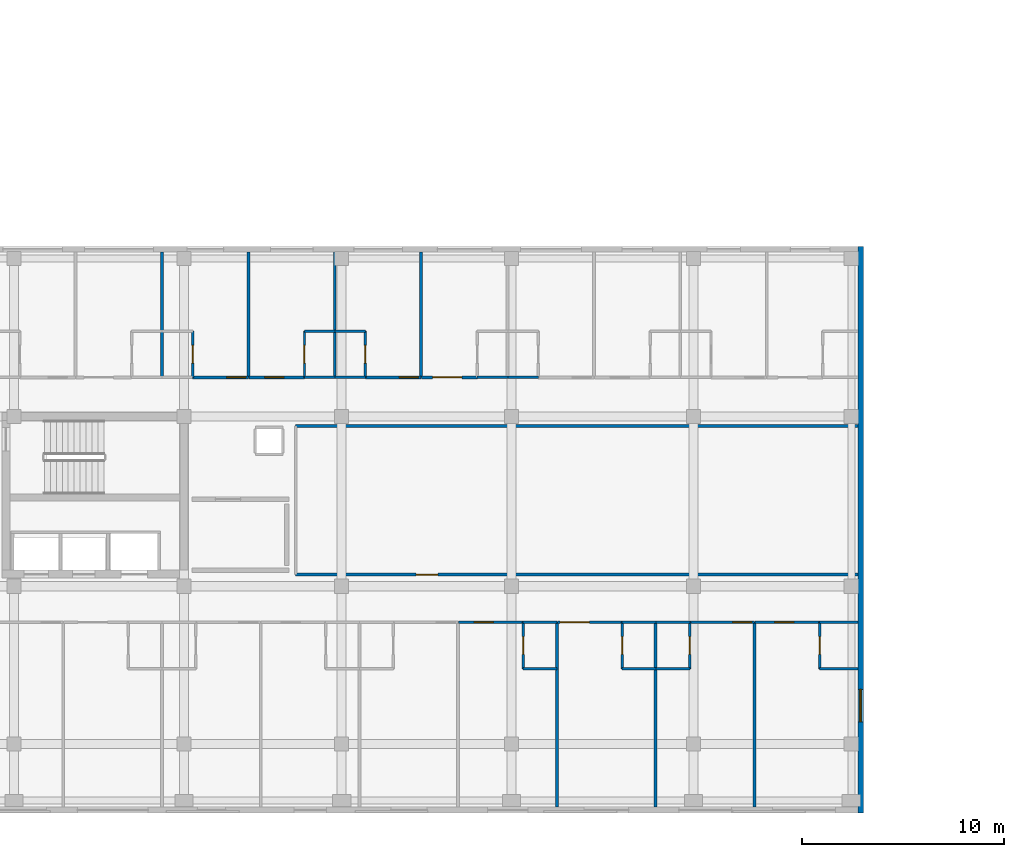
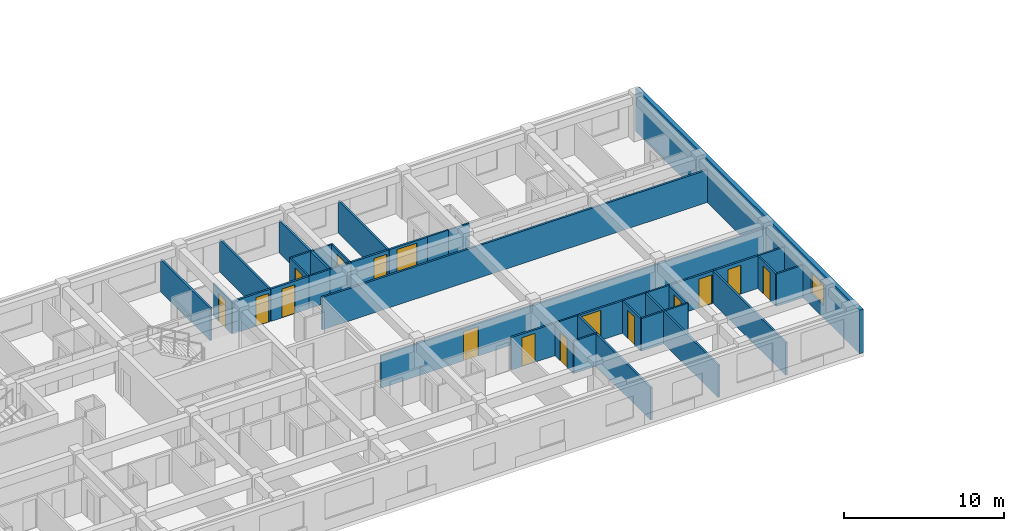
# One storey, part 138 of 144: 39 walls, 16 doors, 1 window, 17 openings.
"""IFC4 building model written with IfcOpenShell, lengths in metres."""

import ifcopenshell
import ifcopenshell.guid

model = None  # the IFC model being written
_history = None  # IfcOwnerHistory: only IFC2X3 demands one
_inside = {}  # id of a spatial element -> (the spatial element, [elements in it])
_under = {}  # id of a project, library or spatial element -> (it, [spatial elements below it])
_declared = {}  # id of a project -> (the project, [libraries it declares])
_typed = {}  # id of a type object -> (the type object, [elements of that type])
_made_of = {}  # id of a material, layer set ... -> (it, [elements and type objects made of it])


def new_model(schema):
    """Start an empty IFC model of exactly this schema.

    Asked for "IFC4X3", IfcOpenShell would pick the latest addendum, in which some entities
    have other attributes; the version numbers below select the first issue.
    IFC2X3 requires an IfcOwnerHistory on every rooted entity: one is made here for all.
    """
    global model, _history
    if schema == "IFC4X3":
        model = ifcopenshell.file(schema_version=(4, 3, 0, 0))
    else:
        model = ifcopenshell.file(schema=schema)
    _inside.clear()
    _under.clear()
    _declared.clear()
    _typed.clear()
    _made_of.clear()
    _history = None
    if model.schema == "IFC2X3":
        org = make("IfcOrganization", Name="unknown")
        user = make(
            "IfcPersonAndOrganization",
            ThePerson=make("IfcPerson", FamilyName="unknown"),
            TheOrganization=org,
        )
        app = make(
            "IfcApplication",
            ApplicationDeveloper=org,
            Version="unknown",
            ApplicationFullName="unknown",
            ApplicationIdentifier="unknown",
        )
        _history = make(
            "IfcOwnerHistory",
            OwningUser=user,
            OwningApplication=app,
            ChangeAction="ADDED",
            CreationDate=0,
        )
    return model


def make(cls, **values):
    """One entity of the class cls with the attributes given. An attribute that is None is left unset."""
    return model.create_entity(
        cls, **{name: value for name, value in values.items() if value is not None}
    )


def rooted(cls, **values):
    """An entity with a GlobalId (a new one), such as an element, a storey or a relation."""
    return make(cls, GlobalId=ifcopenshell.guid.new(), OwnerHistory=_history, **values)


def si_unit(unit_type, name, prefix=None):
    """IfcSIUnit, for example si_unit("LENGTHUNIT", "METRE", prefix="MILLI")."""
    return make("IfcSIUnit", UnitType=unit_type, Prefix=prefix, Name=name)


def assignment(units):
    """IfcUnitAssignment: the units of a project."""
    return None if units is None else make("IfcUnitAssignment", Units=units)


def point(xyz):
    """IfcCartesianPoint."""
    return None if xyz is None else make("IfcCartesianPoint", Coordinates=xyz)


def direction(xyz):
    """IfcDirection."""
    return None if xyz is None else make("IfcDirection", DirectionRatios=xyz)


def frame(location, z_axis=None, x_axis=None):
    """IfcAxis2Placement3D, a coordinate frame: its origin and axes. An axis left out is left unset."""
    return make(
        "IfcAxis2Placement3D",
        Location=point(location),
        Axis=direction(z_axis),
        RefDirection=direction(x_axis),
    )


def frame_2d(location, x_axis=None):
    """IfcAxis2Placement2D, a coordinate frame in the plane: its origin and x axis."""
    return make(
        "IfcAxis2Placement2D", Location=point(location), RefDirection=direction(x_axis)
    )


def origin():
    """The frame at (0, 0, 0) with its axes left unset."""
    return frame((0.0, 0.0, 0.0))


def place(relative_to, where):
    """IfcLocalPlacement: puts the frame where relative to a parent placement (None: the world)."""
    return make(
        "IfcLocalPlacement", PlacementRelTo=relative_to, RelativePlacement=where
    )


def context(
    kind, dimensions, precision=None, world=None, true_north=None, identifier=None
):
    """IfcGeometricRepresentationContext, for example the 3D "Model" context."""
    return make(
        "IfcGeometricRepresentationContext",
        ContextIdentifier=identifier,
        ContextType=kind,
        CoordinateSpaceDimension=dimensions,
        Precision=precision,
        WorldCoordinateSystem=world,
        TrueNorth=true_north,
    )


def subcontext(parent, identifier, kind, view, scale=None):
    """IfcGeometricRepresentationSubContext, for example "Body" below "Model"."""
    return make(
        "IfcGeometricRepresentationSubContext",
        ContextIdentifier=identifier,
        ContextType=kind,
        ParentContext=parent,
        TargetScale=scale,
        TargetView=view,
    )


def project(units=None, contexts=None):
    """IfcProject with its units and contexts."""
    return rooted(
        "IfcProject",
        Name="project",
        RepresentationContexts=contexts,
        UnitsInContext=assignment(units),
    )


def spatial(cls, under=None, at=None, **own):
    """A site, building, storey or space (cls), placed at a placement, below another one or the project."""
    s = rooted(cls, ObjectPlacement=at, **own)
    if under is not None:
        _under.setdefault(under.id(), (under, []))[1].append(s)
    return s


def profile(cls, at=None, kind="AREA", **sizes):
    """A parametric profile (cls). Its sizes go by their IFC names, for example OverallWidth=200.0."""
    return make(cls, ProfileType=kind, Position=at, **sizes)


def rectangle(**sizes):
    """IfcRectangleProfileDef."""
    return profile("IfcRectangleProfileDef", **sizes)


def extrude(swept, where, along, depth):
    """IfcExtrudedAreaSolid: the profile swept, set in the frame where, extruded along a direction by depth."""
    return make(
        "IfcExtrudedAreaSolid",
        SweptArea=swept,
        Position=where,
        ExtrudedDirection=direction(along),
        Depth=depth,
    )


def shape(context_of_items, identifier, shape_type, items):
    """IfcShapeRepresentation: the items that make up one representation, for example the "Body"."""
    return make(
        "IfcShapeRepresentation",
        ContextOfItems=context_of_items,
        RepresentationIdentifier=identifier,
        RepresentationType=shape_type,
        Items=items,
    )


def material(Name=None, Category=None):
    """IfcMaterial."""
    return make("IfcMaterial", Name=Name, Category=Category)


def layer(
    of_material, thickness, ventilated=None, Name=None, Category=None, Priority=None
):
    """IfcMaterialLayer: one layer of a wall or slab, of a material (None: an air gap)."""
    return make(
        "IfcMaterialLayer",
        Material=of_material,
        LayerThickness=thickness,
        IsVentilated=ventilated,
        Name=Name,
        Category=Category,
        Priority=Priority,
    )


def layer_set(layers, Name=None):
    """IfcMaterialLayerSet."""
    return make("IfcMaterialLayerSet", MaterialLayers=layers, LayerSetName=Name)


def made_of(thing, what):
    """Note that an element or type object is made of a material, layer set ...; save() writes the relation."""
    if what is not None:
        _made_of.setdefault(what.id(), (what, []))[1].append(thing)
    return thing


def type_object(cls, material=None, **own):
    """A type object (cls), such as IfcWallType, which elements share."""
    return made_of(rooted(cls, **own), material)


def element(
    cls,
    number,
    at=None,
    inside=None,
    cuts=None,
    type_object=None,
    material=None,
    context=None,
    identifier="Body",
    shape_type=None,
    held_by="IfcProductDefinitionShape",
    body=None,
    shapes=None,
    **own,
):
    """One element of the class cls, such as IfcWall. Its Tag is "e" and its number.

    at: its placement. inside: the storey or other place that contains it. cuts: it is an
    opening in that element (IfcRelVoidsElement). A single representation is given by context,
    identifier, shape_type and body (its items); several are given by shapes. held_by: the class
    of the entity that holds the representations. save() writes the other relations.
    """
    e = rooted(cls, Tag="e%d" % number, ObjectPlacement=at, **own)
    if body is not None:
        shapes = [shape(context, identifier, shape_type, body)]
    if shapes is not None:
        e.Representation = make(held_by, Representations=shapes)
    if inside is not None:
        _inside.setdefault(inside.id(), (inside, []))[1].append(e)
    if cuts is not None:
        rooted(
            "IfcRelVoidsElement", RelatingBuildingElement=cuts, RelatedOpeningElement=e
        )
    if type_object is not None:
        _typed.setdefault(type_object.id(), (type_object, []))[1].append(e)
    return made_of(e, material)


def fill(opening, filler):
    """IfcRelFillsElement: the door or window that sits in an opening."""
    return rooted(
        "IfcRelFillsElement",
        RelatingOpeningElement=opening,
        RelatedBuildingElement=filler,
    )


def aggregate(whole, parts):
    """IfcRelAggregates: a whole, such as a stair, and the parts it consists of."""
    return rooted("IfcRelAggregates", RelatingObject=whole, RelatedObjects=parts)


def save(model, path):
    """Write the relations noted so far, then the file.

    IfcRelAggregates (storeys below a building ...), IfcRelContainedInSpatialStructure (elements
    in a storey), IfcRelDefinesByType, IfcRelAssociatesMaterial and IfcRelDeclares: one each for
    every whole, place, type object, material and project.
    """
    for whole, parts in _under.values():
        aggregate(whole, parts)
    for where, things in _inside.values():
        rooted(
            "IfcRelContainedInSpatialStructure",
            RelatedElements=things,
            RelatingStructure=where,
        )
    for kind, things in _typed.values():
        rooted("IfcRelDefinesByType", RelatedObjects=things, RelatingType=kind)
    for what, things in _made_of.values():
        rooted("IfcRelAssociatesMaterial", RelatedObjects=things, RelatingMaterial=what)
    for by, libraries in _declared.values():
        rooted("IfcRelDeclares", RelatingContext=by, RelatedDefinitions=libraries)
    model.write(path)


model = new_model("IFC4")

# Units and contexts
model_context = context("Model", 3, precision=1e-05, world=origin(), true_north=direction((0.0, 1.0)))
body_context = subcontext(model_context, "Body", "Model", "MODEL_VIEW")
ifc_project = project(units=[si_unit("LENGTHUNIT", "METRE"), si_unit("AREAUNIT", "SQUARE_METRE"), si_unit("VOLUMEUNIT", "CUBIC_METRE"), si_unit("PLANEANGLEUNIT", "RADIAN"), si_unit("MASSUNIT", "GRAM", prefix="KILO")], contexts=[model_context])

# Site, building, storey
site_placement = place(None, origin())
site = spatial("IfcSite", under=ifc_project, at=site_placement, CompositionType="ELEMENT")
building_placement = place(site_placement, origin())
building = spatial("IfcBuilding", under=site, at=building_placement, Name="Zayran Congress Hotel", CompositionType="ELEMENT")
storey_placement = place(building_placement, frame((0.0, 0.0, 19.199951171875)))
storey = spatial("IfcBuildingStorey", under=building, at=storey_placement, Name="L04", CompositionType="ELEMENT", Elevation=19.199951171875)

# Wall, opening, window
ifc_material_1 = material(Name="Hajar Ma'ani limestone cavity wall and concrete C32/40", Category="masonry")
ifc_layer_1 = layer(ifc_material_1, 0.280029296875)
ifc_layer_set_1 = layer_set([ifc_layer_1], Name="Hajar Ma'ani limestone cavity wall and concrete C32/40")
wall_type_1 = type_object("IfcWallType", Name="WL-EX-280", PredefinedType="SOLIDWALL", material=ifc_layer_set_1)
wall_1_placement = place(storey_placement, frame((92.260009765625, 34.0, 0.0), z_axis=(0.0, 0.0, 1.0), x_axis=(0.0, -1.0, 0.0)))
wall_1 = element("IfcWall", 1, at=wall_1_placement, inside=storey, type_object=wall_type_1, Name="EW-V5-E-L04", PredefinedType="SOLIDWALL", context=body_context, shape_type="SweptSolid", body=[
    extrude(rectangle(XDim=28.0, YDim=0.280029296875, at=frame_2d((14.0, 0.0))), origin(), (0.0, 0.0, 1.0), 3.320068359375),
])
opening_1_placement = place(wall_1_placement, frame((21.89990234375, 0.0, 0.949951171875)))
opening_1 = element("IfcOpeningElement", 2, at=opening_1_placement, cuts=wall_1, Name="Opening WN-15", PredefinedType="OPENING", context=body_context, shape_type="SweptSolid", body=[
    extrude(rectangle(XDim=1.60009765625, YDim=1.60009765625, at=frame_2d((0.800048828125, 0.800048828125))), frame((0.0, 0.14990234375, 0.0), z_axis=(0.0, -1.0, 0.0), x_axis=(1.0, 0.0, 0.0)), (0.0, 0.0, 1.0), 0.300048828125),
])
ifc_material_2 = material(Name="Anodised aluminium and low-E insulated glass", Category="aluminium")
window_type = type_object("IfcWindowType", Name="TP-WN-15", PartitioningType="SINGLE_PANEL", PredefinedType="WINDOW", material=ifc_material_2)
window_placement = place(opening_1_placement, origin())
window = element("IfcWindow", 3, at=window_placement, inside=storey, type_object=window_type, Name="WIN-V5E-L04", OverallHeight=1.60009765625, OverallWidth=1.60009765625, PartitioningType="SINGLE_PANEL", PredefinedType="WINDOW", context=body_context, shape_type="SweptSolid", body=[
    extrude(rectangle(XDim=1.60009765625, YDim=1.60009765625, at=frame_2d((0.800048828125, 0.800048828125))), frame((0.0, 0.030029296875, 0.0), z_axis=(0.0, -1.0, 0.0), x_axis=(1.0, 0.0, 0.0)), (0.0, 0.0, 1.0), 0.06005859375),
])
fill(opening_1, window)

# Wall, opening, door
ifc_material_3 = material(Name="Hospitality guestroom acoustic partition", Category="gypsum")
ifc_layer_2 = layer(ifc_material_3, 0.139892578125)
ifc_layer_set_2 = layer_set([ifc_layer_2], Name="Hospitality guestroom acoustic partition")
wall_type_2 = type_object("IfcWallType", Name="WL-PT-140", PredefinedType="PARTITIONING", material=ifc_layer_set_2)
wall_2_placement = place(storey_placement, frame((64.320068359375, 17.780029296875, 0.0), z_axis=(0.0, 0.0, 1.0), x_axis=(1.0, 0.0, 0.0)))
wall_2 = element("IfcWall", 4, at=wall_2_placement, inside=storey, type_object=wall_type_2, Name="IW-L04-0617", PredefinedType="PARTITIONING", context=body_context, shape_type="SweptSolid", body=[
    extrude(rectangle(XDim=27.800048828125, YDim=0.139892578125, at=frame_2d((13.89990234375, 0.0))), origin(), (0.0, 0.0, 1.0), 2.47998046875),
])
opening_2_placement = place(wall_2_placement, frame((5.9580078125, 0.0, 0.0)))
opening_2 = element("IfcOpeningElement", 5, at=opening_2_placement, cuts=wall_2, Name="Opening DR-MT-01", PredefinedType="OPENING", context=body_context, shape_type="SweptSolid", body=[
    extrude(rectangle(XDim=1.080078125, YDim=2.25, at=frame_2d((0.5400390625, 1.125))), frame((0.0, 0.079833984375, 0.0), z_axis=(0.0, -1.0, 0.0), x_axis=(1.0, 0.0, 0.0)), (0.0, 0.0, 1.0), 0.159912109375),
])
ifc_material_4 = material(Name="Acoustic timber seminar room door", Category="wood")
door_type_1 = type_object("IfcDoorType", Name="TP-DR-MT-01", OperationType="NOTDEFINED", PredefinedType="DOOR", material=ifc_material_4)
door_1_placement = place(opening_2_placement, origin())
door_1 = element("IfcDoor", 6, at=door_1_placement, inside=storey, type_object=door_type_1, Name="Delegate Study Salon East L04 Door", OperationType="SINGLE_SWING_RIGHT", OverallHeight=2.25, OverallWidth=1.080078125, PredefinedType="DOOR", context=body_context, shape_type="SweptSolid", body=[
    extrude(rectangle(XDim=1.080078125, YDim=2.25, at=frame_2d((0.5400390625, 1.125))), frame((0.0, 0.02490234375, 0.0), z_axis=(0.0, -1.0, 0.0), x_axis=(1.0, 0.0, 0.0)), (0.0, 0.0, 1.0), 0.050048828125),
])
fill(opening_2, door_1)

wall_3_placement = place(storey_placement, frame((72.381103515625, 15.419921875, 0.0), z_axis=(0.0, 0.0, 1.0), x_axis=(1.0, 0.0, 0.0)))
wall_3 = element("IfcWall", 7, at=wall_3_placement, inside=storey, type_object=wall_type_2, Name="IW-L04-0631", PredefinedType="PARTITIONING", context=body_context, shape_type="SweptSolid", body=[
    extrude(rectangle(XDim=3.201904296875, YDim=0.139892578125, at=frame_2d((1.60107421875, 0.0))), origin(), (0.0, 0.0, 1.0), 2.47998046875),
])
opening_3_placement = place(wall_3_placement, frame((0.777099609375, 0.0, 0.0)))
opening_3 = element("IfcOpeningElement", 8, at=opening_3_placement, cuts=wall_3, Name="Opening DR-GR-01", PredefinedType="OPENING", context=body_context, shape_type="SweptSolid", body=[
    extrude(rectangle(XDim=0.93994140625, YDim=2.199951171875, at=frame_2d((0.469970703125, 1.10009765625))), frame((0.0, 0.079833984375, 0.0), z_axis=(0.0, -1.0, 0.0), x_axis=(1.0, 0.0, 0.0)), (0.0, 0.0, 1.0), 0.159912109375),
])
ifc_material_5 = material(Name="Acoustic walnut veneer fire-rated entry door", Category="wood")
door_type_2 = type_object("IfcDoorType", Name="TP-DR-GR-01", OperationType="NOTDEFINED", PredefinedType="DOOR", material=ifc_material_5)
door_2_placement = place(opening_3_placement, origin())
door_2 = element("IfcDoor", 9, at=door_2_placement, inside=storey, type_object=door_type_2, Name="Guest Room L04-14 Door", OperationType="SINGLE_SWING_RIGHT", OverallHeight=2.199951171875, OverallWidth=0.93994140625, PredefinedType="DOOR", context=body_context, shape_type="SweptSolid", body=[
    extrude(rectangle(XDim=0.93994140625, YDim=2.199951171875, at=frame_2d((0.469970703125, 1.10009765625))), frame((0.0, 0.02490234375, 0.0), z_axis=(0.0, -1.0, 0.0), x_axis=(1.0, 0.0, 0.0)), (0.0, 0.0, 1.0), 0.050048828125),
])
fill(opening_3, door_2)

wall_4_placement = place(storey_placement, frame((77.262939453125, 15.419921875, 0.0), z_axis=(0.0, 0.0, 1.0), x_axis=(1.0, 0.0, 0.0)))
wall_4 = element("IfcWall", 10, at=wall_4_placement, inside=storey, type_object=wall_type_2, Name="IW-L04-0632", PredefinedType="PARTITIONING", context=body_context, shape_type="SweptSolid", body=[
    extrude(rectangle(XDim=3.2021484375, YDim=0.139892578125, at=frame_2d((1.60107421875, 0.0))), origin(), (0.0, 0.0, 1.0), 2.47998046875),
])
opening_4_placement = place(wall_4_placement, frame((0.139892578125, 0.0, 0.0)))
opening_4 = element("IfcOpeningElement", 11, at=opening_4_placement, cuts=wall_4, Name="Opening DR-ST-01", PredefinedType="OPENING", context=body_context, shape_type="SweptSolid", body=[
    extrude(rectangle(XDim=1.449951171875, YDim=2.300048828125, at=frame_2d((0.72509765625, 1.14990234375))), frame((0.0, 0.079833984375, 0.0), z_axis=(0.0, -1.0, 0.0), x_axis=(1.0, 0.0, 0.0)), (0.0, 0.0, 1.0), 0.159912109375),
])
ifc_material_6 = material(Name="Double walnut veneer suite entry door", Category="wood")
door_type_3 = type_object("IfcDoorType", Name="TP-DR-ST-01", OperationType="DOUBLE_DOOR_SINGLE_SWING", PredefinedType="DOOR", material=ifc_material_6)
door_3_placement = place(opening_4_placement, origin())
door_3 = element("IfcDoor", 12, at=door_3_placement, inside=storey, type_object=door_type_3, Name="Junior Suite L04-15 Door", OperationType="DOUBLE_DOOR_SINGLE_SWING", OverallHeight=2.300048828125, OverallWidth=1.449951171875, PredefinedType="DOOR", context=body_context, shape_type="SweptSolid", body=[
    extrude(rectangle(XDim=1.449951171875, YDim=2.300048828125, at=frame_2d((0.72509765625, 1.14990234375))), frame((0.0, 0.02490234375, 0.0), z_axis=(0.0, -1.0, 0.0), x_axis=(1.0, 0.0, 0.0)), (0.0, 0.0, 1.0), 0.050048828125),
])
fill(opening_4, door_3)

wall_5_placement = place(storey_placement, frame((83.804931640625, 15.419921875, 0.0), z_axis=(0.0, 0.0, 1.0), x_axis=(1.0, 0.0, 0.0)))
wall_5 = element("IfcWall", 13, at=wall_5_placement, inside=storey, type_object=wall_type_2, Name="IW-L04-0633", PredefinedType="PARTITIONING", context=body_context, shape_type="SweptSolid", body=[
    extrude(rectangle(XDim=3.203125, YDim=0.139892578125, at=frame_2d((1.6015625, 0.0))), origin(), (0.0, 0.0, 1.0), 2.47998046875),
])
opening_5_placement = place(wall_5_placement, frame((2.123046875, 0.0, 0.0)))
opening_5 = element("IfcOpeningElement", 14, at=opening_5_placement, cuts=wall_5, Name="Opening DR-GR-01", PredefinedType="OPENING", context=body_context, shape_type="SweptSolid", body=[
    extrude(rectangle(XDim=0.93994140625, YDim=2.199951171875, at=frame_2d((0.469970703125, 1.10009765625))), frame((0.0, 0.079833984375, 0.0), z_axis=(0.0, -1.0, 0.0), x_axis=(1.0, 0.0, 0.0)), (0.0, 0.0, 1.0), 0.159912109375),
])
door_4_placement = place(opening_5_placement, origin())
door_4 = element("IfcDoor", 15, at=door_4_placement, inside=storey, type_object=door_type_2, Name="Guest Room L04-16 Door", OperationType="SINGLE_SWING_LEFT", OverallHeight=2.199951171875, OverallWidth=0.93994140625, PredefinedType="DOOR", context=body_context, shape_type="SweptSolid", body=[
    extrude(rectangle(XDim=0.93994140625, YDim=2.199951171875, at=frame_2d((0.469970703125, 1.10009765625))), frame((0.0, 0.02490234375, 0.0), z_axis=(0.0, -1.0, 0.0), x_axis=(1.0, 0.0, 0.0)), (0.0, 0.0, 1.0), 0.050048828125),
])
fill(opening_5, door_4)

wall_6_placement = place(storey_placement, frame((87.028076171875, 15.419921875, 0.0), z_axis=(0.0, 0.0, 1.0), x_axis=(1.0, 0.0, 0.0)))
wall_6 = element("IfcWall", 16, at=wall_6_placement, inside=storey, type_object=wall_type_2, Name="IW-L04-0634", PredefinedType="PARTITIONING", context=body_context, shape_type="SweptSolid", body=[
    extrude(rectangle(XDim=3.201904296875, YDim=0.139892578125, at=frame_2d((1.60107421875, 0.0))), origin(), (0.0, 0.0, 1.0), 2.47998046875),
])
opening_6_placement = place(wall_6_placement, frame((0.989013671875, 0.0, 0.0)))
opening_6 = element("IfcOpeningElement", 17, at=opening_6_placement, cuts=wall_6, Name="Opening DR-GR-01", PredefinedType="OPENING", context=body_context, shape_type="SweptSolid", body=[
    extrude(rectangle(XDim=0.93994140625, YDim=2.199951171875, at=frame_2d((0.469970703125, 1.10009765625))), frame((0.0, 0.079833984375, 0.0), z_axis=(0.0, -1.0, 0.0), x_axis=(1.0, 0.0, 0.0)), (0.0, 0.0, 1.0), 0.159912109375),
])
door_5_placement = place(opening_6_placement, origin())
door_5 = element("IfcDoor", 18, at=door_5_placement, inside=storey, type_object=door_type_2, Name="Guest Room L04-17 Door", OperationType="SINGLE_SWING_RIGHT", OverallHeight=2.199951171875, OverallWidth=0.93994140625, PredefinedType="DOOR", context=body_context, shape_type="SweptSolid", body=[
    extrude(rectangle(XDim=0.93994140625, YDim=2.199951171875, at=frame_2d((0.469970703125, 1.10009765625))), frame((0.0, 0.02490234375, 0.0), z_axis=(0.0, -1.0, 0.0), x_axis=(1.0, 0.0, 0.0)), (0.0, 0.0, 1.0), 0.050048828125),
])
fill(opening_6, door_5)

wall_7_placement = place(storey_placement, frame((59.23291015625, 27.530029296875, 0.0), z_axis=(0.0, 0.0, 1.0), x_axis=(1.0, 0.0, 0.0)))
wall_7 = element("IfcWall", 19, at=wall_7_placement, inside=storey, type_object=wall_type_2, Name="IW-L04-0646", PredefinedType="PARTITIONING", context=body_context, shape_type="SweptSolid", body=[
    extrude(rectangle(XDim=2.755126953125, YDim=0.139892578125, at=frame_2d((1.37744140625, 0.0))), origin(), (0.0, 0.0, 1.0), 2.47998046875),
])
opening_7_placement = place(wall_7_placement, frame((1.675048828125, 0.0, 0.0)))
opening_7 = element("IfcOpeningElement", 20, at=opening_7_placement, cuts=wall_7, Name="Opening DR-GR-01", PredefinedType="OPENING", context=body_context, shape_type="SweptSolid", body=[
    extrude(rectangle(XDim=0.93994140625, YDim=2.199951171875, at=frame_2d((0.469970703125, 1.10009765625))), frame((0.0, 0.079833984375, 0.0), z_axis=(0.0, -1.0, 0.0), x_axis=(1.0, 0.0, 0.0)), (0.0, 0.0, 1.0), 0.159912109375),
])
door_6_placement = place(opening_7_placement, origin())
door_6 = element("IfcDoor", 21, at=door_6_placement, inside=storey, type_object=door_type_2, Name="Guest Room L04-27 Door", OperationType="SINGLE_SWING_LEFT", OverallHeight=2.199951171875, OverallWidth=0.93994140625, PredefinedType="DOOR", context=body_context, shape_type="SweptSolid", body=[
    extrude(rectangle(XDim=0.93994140625, YDim=2.199951171875, at=frame_2d((0.469970703125, 1.10009765625))), frame((0.0, 0.02490234375, 0.0), z_axis=(0.0, -1.0, 0.0), x_axis=(1.0, 0.0, 0.0)), (0.0, 0.0, 1.0), 0.050048828125),
])
fill(opening_7, door_6)

wall_8_placement = place(storey_placement, frame((62.008056640625, 27.530029296875, 0.0), z_axis=(0.0, 0.0, 1.0), x_axis=(1.0, 0.0, 0.0)))
wall_8 = element("IfcWall", 22, at=wall_8_placement, inside=storey, type_object=wall_type_2, Name="IW-L04-0647", PredefinedType="PARTITIONING", context=body_context, shape_type="SweptSolid", body=[
    extrude(rectangle(XDim=2.75390625, YDim=0.139892578125, at=frame_2d((1.376953125, 0.0))), origin(), (0.0, 0.0, 1.0), 2.47998046875),
])
opening_8_placement = place(wall_8_placement, frame((0.797119140625, 0.0, 0.0)))
opening_8 = element("IfcOpeningElement", 23, at=opening_8_placement, cuts=wall_8, Name="Opening DR-GR-01", PredefinedType="OPENING", context=body_context, shape_type="SweptSolid", body=[
    extrude(rectangle(XDim=0.93994140625, YDim=2.199951171875, at=frame_2d((0.469970703125, 1.10009765625))), frame((0.0, 0.079833984375, 0.0), z_axis=(0.0, -1.0, 0.0), x_axis=(1.0, 0.0, 0.0)), (0.0, 0.0, 1.0), 0.159912109375),
])
door_7_placement = place(opening_8_placement, origin())
door_7 = element("IfcDoor", 24, at=door_7_placement, inside=storey, type_object=door_type_2, Name="Guest Room L04-28 Door", OperationType="SINGLE_SWING_RIGHT", OverallHeight=2.199951171875, OverallWidth=0.93994140625, PredefinedType="DOOR", context=body_context, shape_type="SweptSolid", body=[
    extrude(rectangle(XDim=0.93994140625, YDim=2.199951171875, at=frame_2d((0.469970703125, 1.10009765625))), frame((0.0, 0.02490234375, 0.0), z_axis=(0.0, -1.0, 0.0), x_axis=(1.0, 0.0, 0.0)), (0.0, 0.0, 1.0), 0.050048828125),
])
fill(opening_8, door_7)

wall_9_placement = place(storey_placement, frame((67.77587890625, 27.530029296875, 0.0), z_axis=(0.0, 0.0, 1.0), x_axis=(1.0, 0.0, 0.0)))
wall_9 = element("IfcWall", 25, at=wall_9_placement, inside=storey, type_object=wall_type_2, Name="IW-L04-0648", PredefinedType="PARTITIONING", context=body_context, shape_type="SweptSolid", body=[
    extrude(rectangle(XDim=2.755126953125, YDim=0.139892578125, at=frame_2d((1.37744140625, 0.0))), origin(), (0.0, 0.0, 1.0), 2.47998046875),
])
opening_9_placement = place(wall_9_placement, frame((1.675048828125, 0.0, 0.0)))
opening_9 = element("IfcOpeningElement", 26, at=opening_9_placement, cuts=wall_9, Name="Opening DR-GR-01", PredefinedType="OPENING", context=body_context, shape_type="SweptSolid", body=[
    extrude(rectangle(XDim=0.93994140625, YDim=2.199951171875, at=frame_2d((0.469970703125, 1.10009765625))), frame((0.0, 0.079833984375, 0.0), z_axis=(0.0, -1.0, 0.0), x_axis=(1.0, 0.0, 0.0)), (0.0, 0.0, 1.0), 0.159912109375),
])
door_8_placement = place(opening_9_placement, origin())
door_8 = element("IfcDoor", 27, at=door_8_placement, inside=storey, type_object=door_type_2, Name="Guest Room L04-29 Door", OperationType="SINGLE_SWING_LEFT", OverallHeight=2.199951171875, OverallWidth=0.93994140625, PredefinedType="DOOR", context=body_context, shape_type="SweptSolid", body=[
    extrude(rectangle(XDim=0.93994140625, YDim=2.199951171875, at=frame_2d((0.469970703125, 1.10009765625))), frame((0.0, 0.02490234375, 0.0), z_axis=(0.0, -1.0, 0.0), x_axis=(1.0, 0.0, 0.0)), (0.0, 0.0, 1.0), 0.050048828125),
])
fill(opening_9, door_8)

wall_10_placement = place(storey_placement, frame((70.551025390625, 27.530029296875, 0.0), z_axis=(0.0, 0.0, 1.0), x_axis=(1.0, 0.0, 0.0)))
wall_10 = element("IfcWall", 28, at=wall_10_placement, inside=storey, type_object=wall_type_2, Name="IW-L04-0649", PredefinedType="PARTITIONING", context=body_context, shape_type="SweptSolid", body=[
    extrude(rectangle(XDim=2.7548828125, YDim=0.139892578125, at=frame_2d((1.37744140625, 0.0))), origin(), (0.0, 0.0, 1.0), 2.47998046875),
])
opening_10_placement = place(wall_10_placement, frame((0.54296875, 0.0, 0.0)))
opening_10 = element("IfcOpeningElement", 29, at=opening_10_placement, cuts=wall_10, Name="Opening DR-ST-01", PredefinedType="OPENING", context=body_context, shape_type="SweptSolid", body=[
    extrude(rectangle(XDim=1.449951171875, YDim=2.300048828125, at=frame_2d((0.72509765625, 1.14990234375))), frame((0.0, 0.079833984375, 0.0), z_axis=(0.0, -1.0, 0.0), x_axis=(1.0, 0.0, 0.0)), (0.0, 0.0, 1.0), 0.159912109375),
])
door_9_placement = place(opening_10_placement, origin())
door_9 = element("IfcDoor", 30, at=door_9_placement, inside=storey, type_object=door_type_3, Name="Executive Suite L04-30 Door", OperationType="DOUBLE_DOOR_SINGLE_SWING", OverallHeight=2.300048828125, OverallWidth=1.449951171875, PredefinedType="DOOR", context=body_context, shape_type="SweptSolid", body=[
    extrude(rectangle(XDim=1.449951171875, YDim=2.300048828125, at=frame_2d((0.72509765625, 1.14990234375))), frame((0.0, 0.02490234375, 0.0), z_axis=(0.0, -1.0, 0.0), x_axis=(1.0, 0.0, 0.0)), (0.0, 0.0, 1.0), 0.050048828125),
])
fill(opening_10, door_9)

# Walls
wall_11_placement = place(storey_placement, frame((64.320068359375, 25.1201171875, 0.0), z_axis=(0.0, 0.0, 1.0), x_axis=(1.0, 0.0, 0.0)))
element("IfcWall", 31, at=wall_11_placement, inside=storey, type_object=wall_type_2, Name="IW-L04-1942", PredefinedType="PARTITIONING", context=body_context, shape_type="SweptSolid", body=[
    extrude(rectangle(XDim=27.800048828125, YDim=0.139892578125, at=frame_2d((13.89990234375, 0.0))), origin(), (0.0, 0.0, 1.0), 2.47998046875),
])
for number, where, z_axis, x_axis, name in (
    (32, (77.242919921875, 6.280029296875, 0.0), (0.0, 0.0, 1.0), (0.0, 1.0, 0.0), "IW-L04-1957"),
    (33, (82.125, 6.280029296875, 0.0), (0.0, 0.0, 1.0), (0.0, 1.0, 0.0), "IW-L04-1958"),
    (34, (87.008056640625, 6.280029296875, 0.0), (0.0, 0.0, 1.0), (0.0, 1.0, 0.0), "IW-L04-1959"),
):
    element("IfcWall", number, at=place(storey_placement, frame(where, z_axis=z_axis, x_axis=x_axis)), inside=storey, type_object=wall_type_2, Name=name, PredefinedType="PARTITIONING", context=body_context, shape_type="SweptSolid", body=[
        extrude(rectangle(XDim=9.14990234375, YDim=0.139892578125, at=frame_2d((4.574951171875, 0.0))), origin(), (0.0, 0.0, 1.0), 2.47998046875),
    ])
for number, where, z_axis, x_axis, name in (
    (35, (57.716064453125, 27.52001953125, 0.0), (0.0, 0.0, 1.0), (0.0, 1.0, 0.0), "IW-L04-1970"),
    (36, (61.988037109375, 27.52001953125, 0.0), (0.0, 0.0, 1.0), (0.0, 1.0, 0.0), "IW-L04-1971"),
    (37, (66.259033203125, 27.52001953125, 0.0), (0.0, 0.0, 1.0), (0.0, 1.0, 0.0), "IW-L04-1972"),
    (38, (70.531005859375, 27.52001953125, 0.0), (0.0, 0.0, 1.0), (0.0, 1.0, 0.0), "IW-L04-1973"),
):
    element("IfcWall", number, at=place(storey_placement, frame(where, z_axis=z_axis, x_axis=x_axis)), inside=storey, type_object=wall_type_2, Name=name, PredefinedType="PARTITIONING", context=body_context, shape_type="SweptSolid", body=[
        extrude(rectangle(XDim=6.199951171875, YDim=0.139892578125, at=frame_2d((3.10009765625, 0.0))), origin(), (0.0, 0.0, 1.0), 2.47998046875),
    ])

# Wall, opening, door
ifc_material_7 = material(Name="Moisture-resistant bathroom partition", Category="gypsum")
ifc_layer_3 = layer(ifc_material_7, 0.1201171875)
ifc_layer_set_3 = layer_set([ifc_layer_3], Name="Moisture-resistant bathroom partition")
wall_type_3 = type_object("IfcWallType", Name="WL-PT-120", PredefinedType="PARTITIONING", material=ifc_layer_set_3)
wall_12_placement = place(storey_placement, frame((75.5830078125, 13.1201171875, 0.0), z_axis=(0.0, 0.0, 1.0), x_axis=(0.0, 1.0, 0.0)))
wall_12 = element("IfcWall", 39, at=wall_12_placement, inside=storey, type_object=wall_type_3, Name="IW-L04-0140", PredefinedType="PARTITIONING", context=body_context, shape_type="SweptSolid", body=[
    extrude(rectangle(XDim=2.309814453125, YDim=0.1201171875, at=frame_2d((1.15478515625, 0.0))), origin(), (0.0, 0.0, 1.0), 2.47998046875),
])
opening_11_placement = place(wall_12_placement, frame((0.715087890625, 0.0, 0.0)))
opening_11 = element("IfcOpeningElement", 40, at=opening_11_placement, cuts=wall_12, Name="Opening DR-BT-01", PredefinedType="OPENING", context=body_context, shape_type="SweptSolid", body=[
    extrude(rectangle(XDim=0.8798828125, YDim=2.14990234375, at=frame_2d((0.43994140625, 1.074951171875))), frame((0.0, 0.070068359375, 0.0), z_axis=(0.0, -1.0, 0.0), x_axis=(1.0, 0.0, 0.0)), (0.0, 0.0, 1.0), 0.14013671875),
])
ifc_material_8 = material(Name="Moisture-resistant oak en-suite door", Category="wood")
door_type_4 = type_object("IfcDoorType", Name="TP-DR-BT-01", OperationType="NOTDEFINED", PredefinedType="DOOR", material=ifc_material_8)
door_10_placement = place(opening_11_placement, origin())
door_10 = element("IfcDoor", 41, at=door_10_placement, inside=storey, type_object=door_type_4, Name="En-Suite Bathroom L04-14 Door", OperationType="SINGLE_SWING_LEFT", OverallHeight=2.14990234375, OverallWidth=0.8798828125, PredefinedType="DOOR", context=body_context, shape_type="SweptSolid", body=[
    extrude(rectangle(XDim=0.8798828125, YDim=2.14990234375, at=frame_2d((0.43994140625, 1.074951171875))), frame((0.0, 0.02490234375, 0.0), z_axis=(0.0, -1.0, 0.0), x_axis=(1.0, 0.0, 0.0)), (0.0, 0.0, 1.0), 0.050048828125),
])
fill(opening_11, door_10)

wall_13_placement = place(storey_placement, frame((80.465087890625, 13.1201171875, 0.0), z_axis=(0.0, 0.0, 1.0), x_axis=(0.0, 1.0, 0.0)))
wall_13 = element("IfcWall", 42, at=wall_13_placement, inside=storey, type_object=wall_type_3, Name="IW-L04-0141", PredefinedType="PARTITIONING", context=body_context, shape_type="SweptSolid", body=[
    extrude(rectangle(XDim=2.309814453125, YDim=0.1201171875, at=frame_2d((1.15478515625, 0.0))), origin(), (0.0, 0.0, 1.0), 2.47998046875),
])
opening_12_placement = place(wall_13_placement, frame((0.715087890625, 0.0, 0.0)))
opening_12 = element("IfcOpeningElement", 43, at=opening_12_placement, cuts=wall_13, Name="Opening DR-BT-01", PredefinedType="OPENING", context=body_context, shape_type="SweptSolid", body=[
    extrude(rectangle(XDim=0.8798828125, YDim=2.14990234375, at=frame_2d((0.43994140625, 1.074951171875))), frame((0.0, 0.070068359375, 0.0), z_axis=(0.0, -1.0, 0.0), x_axis=(1.0, 0.0, 0.0)), (0.0, 0.0, 1.0), 0.14013671875),
])
door_11_placement = place(opening_12_placement, origin())
door_11 = element("IfcDoor", 44, at=door_11_placement, inside=storey, type_object=door_type_4, Name="En-Suite Bathroom L04-15 Door", OperationType="SINGLE_SWING_RIGHT", OverallHeight=2.14990234375, OverallWidth=0.8798828125, PredefinedType="DOOR", context=body_context, shape_type="SweptSolid", body=[
    extrude(rectangle(XDim=0.8798828125, YDim=2.14990234375, at=frame_2d((0.43994140625, 1.074951171875))), frame((0.0, 0.02490234375, 0.0), z_axis=(0.0, -1.0, 0.0), x_axis=(1.0, 0.0, 0.0)), (0.0, 0.0, 1.0), 0.050048828125),
])
fill(opening_12, door_11)

wall_14_placement = place(storey_placement, frame((83.804931640625, 13.1201171875, 0.0), z_axis=(0.0, 0.0, 1.0), x_axis=(0.0, 1.0, 0.0)))
wall_14 = element("IfcWall", 45, at=wall_14_placement, inside=storey, type_object=wall_type_3, Name="IW-L04-0142", PredefinedType="PARTITIONING", context=body_context, shape_type="SweptSolid", body=[
    extrude(rectangle(XDim=2.309814453125, YDim=0.1201171875, at=frame_2d((1.15478515625, 0.0))), origin(), (0.0, 0.0, 1.0), 2.47998046875),
])
opening_13_placement = place(wall_14_placement, frame((0.715087890625, 0.0, 0.0)))
opening_13 = element("IfcOpeningElement", 46, at=opening_13_placement, cuts=wall_14, Name="Opening DR-BT-01", PredefinedType="OPENING", context=body_context, shape_type="SweptSolid", body=[
    extrude(rectangle(XDim=0.8798828125, YDim=2.14990234375, at=frame_2d((0.43994140625, 1.074951171875))), frame((0.0, 0.070068359375, 0.0), z_axis=(0.0, -1.0, 0.0), x_axis=(1.0, 0.0, 0.0)), (0.0, 0.0, 1.0), 0.14013671875),
])
door_12_placement = place(opening_13_placement, origin())
door_12 = element("IfcDoor", 47, at=door_12_placement, inside=storey, type_object=door_type_4, Name="En-Suite Bathroom L04-16 Door", OperationType="SINGLE_SWING_LEFT", OverallHeight=2.14990234375, OverallWidth=0.8798828125, PredefinedType="DOOR", context=body_context, shape_type="SweptSolid", body=[
    extrude(rectangle(XDim=0.8798828125, YDim=2.14990234375, at=frame_2d((0.43994140625, 1.074951171875))), frame((0.0, 0.02490234375, 0.0), z_axis=(0.0, -1.0, 0.0), x_axis=(1.0, 0.0, 0.0)), (0.0, 0.0, 1.0), 0.050048828125),
])
fill(opening_13, door_12)

wall_15_placement = place(storey_placement, frame((90.22998046875, 13.1201171875, 0.0), z_axis=(0.0, 0.0, 1.0), x_axis=(0.0, 1.0, 0.0)))
wall_15 = element("IfcWall", 48, at=wall_15_placement, inside=storey, type_object=wall_type_3, Name="IW-L04-0143", PredefinedType="PARTITIONING", context=body_context, shape_type="SweptSolid", body=[
    extrude(rectangle(XDim=2.309814453125, YDim=0.1201171875, at=frame_2d((1.15478515625, 0.0))), origin(), (0.0, 0.0, 1.0), 2.47998046875),
])
opening_14_placement = place(wall_15_placement, frame((0.715087890625, 0.0, 0.0)))
opening_14 = element("IfcOpeningElement", 49, at=opening_14_placement, cuts=wall_15, Name="Opening DR-BT-01", PredefinedType="OPENING", context=body_context, shape_type="SweptSolid", body=[
    extrude(rectangle(XDim=0.8798828125, YDim=2.14990234375, at=frame_2d((0.43994140625, 1.074951171875))), frame((0.0, 0.070068359375, 0.0), z_axis=(0.0, -1.0, 0.0), x_axis=(1.0, 0.0, 0.0)), (0.0, 0.0, 1.0), 0.14013671875),
])
door_13_placement = place(opening_14_placement, origin())
door_13 = element("IfcDoor", 50, at=door_13_placement, inside=storey, type_object=door_type_4, Name="En-Suite Bathroom L04-17 Door", OperationType="SINGLE_SWING_RIGHT", OverallHeight=2.14990234375, OverallWidth=0.8798828125, PredefinedType="DOOR", context=body_context, shape_type="SweptSolid", body=[
    extrude(rectangle(XDim=0.8798828125, YDim=2.14990234375, at=frame_2d((0.43994140625, 1.074951171875))), frame((0.0, 0.02490234375, 0.0), z_axis=(0.0, -1.0, 0.0), x_axis=(1.0, 0.0, 0.0)), (0.0, 0.0, 1.0), 0.050048828125),
])
fill(opening_14, door_13)

wall_16_placement = place(storey_placement, frame((59.23291015625, 27.52001953125, 0.0), z_axis=(0.0, 0.0, 1.0), x_axis=(0.0, 1.0, 0.0)))
wall_16 = element("IfcWall", 51, at=wall_16_placement, inside=storey, type_object=wall_type_3, Name="IW-L04-0153", PredefinedType="PARTITIONING", context=body_context, shape_type="SweptSolid", body=[
    extrude(rectangle(XDim=2.31005859375, YDim=0.1201171875, at=frame_2d((1.155029296875, 0.0))), origin(), (0.0, 0.0, 1.0), 2.47998046875),
])
opening_15_placement = place(wall_16_placement, frame((0.715087890625, 0.0, 0.0)))
opening_15 = element("IfcOpeningElement", 52, at=opening_15_placement, cuts=wall_16, Name="Opening DR-BT-01", PredefinedType="OPENING", context=body_context, shape_type="SweptSolid", body=[
    extrude(rectangle(XDim=0.8798828125, YDim=2.14990234375, at=frame_2d((0.43994140625, 1.074951171875))), frame((0.0, 0.070068359375, 0.0), z_axis=(0.0, -1.0, 0.0), x_axis=(1.0, 0.0, 0.0)), (0.0, 0.0, 1.0), 0.14013671875),
])
door_14_placement = place(opening_15_placement, origin())
door_14 = element("IfcDoor", 53, at=door_14_placement, inside=storey, type_object=door_type_4, Name="En-Suite Bathroom L04-27 Door", OperationType="SINGLE_SWING_RIGHT", OverallHeight=2.14990234375, OverallWidth=0.8798828125, PredefinedType="DOOR", context=body_context, shape_type="SweptSolid", body=[
    extrude(rectangle(XDim=0.8798828125, YDim=2.14990234375, at=frame_2d((0.43994140625, 1.074951171875))), frame((0.0, 0.02490234375, 0.0), z_axis=(0.0, -1.0, 0.0), x_axis=(1.0, 0.0, 0.0)), (0.0, 0.0, 1.0), 0.050048828125),
])
fill(opening_15, door_14)

wall_17_placement = place(storey_placement, frame((64.761962890625, 27.52001953125, 0.0), z_axis=(0.0, 0.0, 1.0), x_axis=(0.0, 1.0, 0.0)))
wall_17 = element("IfcWall", 54, at=wall_17_placement, inside=storey, type_object=wall_type_3, Name="IW-L04-0154", PredefinedType="PARTITIONING", context=body_context, shape_type="SweptSolid", body=[
    extrude(rectangle(XDim=2.31005859375, YDim=0.1201171875, at=frame_2d((1.155029296875, 0.0))), origin(), (0.0, 0.0, 1.0), 2.47998046875),
])
opening_16_placement = place(wall_17_placement, frame((0.715087890625, 0.0, 0.0)))
opening_16 = element("IfcOpeningElement", 55, at=opening_16_placement, cuts=wall_17, Name="Opening DR-BT-01", PredefinedType="OPENING", context=body_context, shape_type="SweptSolid", body=[
    extrude(rectangle(XDim=0.8798828125, YDim=2.14990234375, at=frame_2d((0.43994140625, 1.074951171875))), frame((0.0, 0.070068359375, 0.0), z_axis=(0.0, -1.0, 0.0), x_axis=(1.0, 0.0, 0.0)), (0.0, 0.0, 1.0), 0.14013671875),
])
door_15_placement = place(opening_16_placement, origin())
door_15 = element("IfcDoor", 56, at=door_15_placement, inside=storey, type_object=door_type_4, Name="En-Suite Bathroom L04-28 Door", OperationType="SINGLE_SWING_LEFT", OverallHeight=2.14990234375, OverallWidth=0.8798828125, PredefinedType="DOOR", context=body_context, shape_type="SweptSolid", body=[
    extrude(rectangle(XDim=0.8798828125, YDim=2.14990234375, at=frame_2d((0.43994140625, 1.074951171875))), frame((0.0, 0.02490234375, 0.0), z_axis=(0.0, -1.0, 0.0), x_axis=(1.0, 0.0, 0.0)), (0.0, 0.0, 1.0), 0.050048828125),
])
fill(opening_16, door_15)

wall_18_placement = place(storey_placement, frame((67.77587890625, 27.52001953125, 0.0), z_axis=(0.0, 0.0, 1.0), x_axis=(0.0, 1.0, 0.0)))
wall_18 = element("IfcWall", 57, at=wall_18_placement, inside=storey, type_object=wall_type_3, Name="IW-L04-0155", PredefinedType="PARTITIONING", context=body_context, shape_type="SweptSolid", body=[
    extrude(rectangle(XDim=2.31005859375, YDim=0.1201171875, at=frame_2d((1.155029296875, 0.0))), origin(), (0.0, 0.0, 1.0), 2.47998046875),
])
opening_17_placement = place(wall_18_placement, frame((0.715087890625, 0.0, 0.0)))
opening_17 = element("IfcOpeningElement", 58, at=opening_17_placement, cuts=wall_18, Name="Opening DR-BT-01", PredefinedType="OPENING", context=body_context, shape_type="SweptSolid", body=[
    extrude(rectangle(XDim=0.8798828125, YDim=2.14990234375, at=frame_2d((0.43994140625, 1.074951171875))), frame((0.0, 0.070068359375, 0.0), z_axis=(0.0, -1.0, 0.0), x_axis=(1.0, 0.0, 0.0)), (0.0, 0.0, 1.0), 0.14013671875),
])
door_16_placement = place(opening_17_placement, origin())
door_16 = element("IfcDoor", 59, at=door_16_placement, inside=storey, type_object=door_type_4, Name="En-Suite Bathroom L04-29 Door", OperationType="SINGLE_SWING_RIGHT", OverallHeight=2.14990234375, OverallWidth=0.8798828125, PredefinedType="DOOR", context=body_context, shape_type="SweptSolid", body=[
    extrude(rectangle(XDim=0.8798828125, YDim=2.14990234375, at=frame_2d((0.43994140625, 1.074951171875))), frame((0.0, 0.02490234375, 0.0), z_axis=(0.0, -1.0, 0.0), x_axis=(1.0, 0.0, 0.0)), (0.0, 0.0, 1.0), 0.050048828125),
])
fill(opening_17, door_16)

# Walls
for number, where, z_axis, x_axis, name in (
    (60, (75.572998046875, 13.1298828125, 0.0), (0.0, 0.0, 1.0), (1.0, 0.0, 0.0), "IW-L04-1147"),
    (61, (75.572998046875, 15.419921875, 0.0), (0.0, 0.0, 1.0), (1.0, 0.0, 0.0), "IW-L04-1148"),
    (62, (80.455078125, 13.1298828125, 0.0), (0.0, 0.0, 1.0), (1.0, 0.0, 0.0), "IW-L04-1149"),
    (63, (80.455078125, 15.419921875, 0.0), (0.0, 0.0, 1.0), (1.0, 0.0, 0.0), "IW-L04-1150"),
    (64, (82.135009765625, 13.1298828125, 0.0), (0.0, 0.0, 1.0), (1.0, 0.0, 0.0), "IW-L04-1151"),
    (65, (82.135009765625, 15.419921875, 0.0), (0.0, 0.0, 1.0), (1.0, 0.0, 0.0), "IW-L04-1152"),
):
    element("IfcWall", number, at=place(storey_placement, frame(where, z_axis=z_axis, x_axis=x_axis)), inside=storey, type_object=wall_type_3, Name=name, PredefinedType="PARTITIONING", context=body_context, shape_type="SweptSolid", body=[
        extrude(rectangle(XDim=1.679931640625, YDim=0.1201171875, at=frame_2d((0.83984375, 0.0))), origin(), (0.0, 0.0, 1.0), 2.47998046875),
    ])
for number, where, z_axis, x_axis, name in (
    (66, (90.219970703125, 13.1298828125, 0.0), (0.0, 0.0, 1.0), (1.0, 0.0, 0.0), "IW-L04-1153"),
    (67, (90.219970703125, 15.419921875, 0.0), (0.0, 0.0, 1.0), (1.0, 0.0, 0.0), "IW-L04-1154"),
):
    element("IfcWall", number, at=place(storey_placement, frame(where, z_axis=z_axis, x_axis=x_axis)), inside=storey, type_object=wall_type_3, Name=name, PredefinedType="PARTITIONING", context=body_context, shape_type="SweptSolid", body=[
        extrude(rectangle(XDim=1.900146484375, YDim=0.1201171875, at=frame_2d((0.9501953125, 0.0))), origin(), (0.0, 0.0, 1.0), 2.47998046875),
    ])
for number, where, z_axis, x_axis, name in (
    (68, (64.751953125, 27.530029296875, 0.0), (0.0, 0.0, 1.0), (1.0, 0.0, 0.0), "IW-L04-1175"),
    (69, (64.751953125, 29.820068359375, 0.0), (0.0, 0.0, 1.0), (1.0, 0.0, 0.0), "IW-L04-1176"),
):
    element("IfcWall", number, at=place(storey_placement, frame(where, z_axis=z_axis, x_axis=x_axis)), inside=storey, type_object=wall_type_3, Name=name, PredefinedType="PARTITIONING", context=body_context, shape_type="SweptSolid", body=[
        extrude(rectangle(XDim=1.51708984375, YDim=0.1201171875, at=frame_2d((0.758544921875, 0.0))), origin(), (0.0, 0.0, 1.0), 2.47998046875),
    ])
for number, where, z_axis, x_axis, name in (
    (70, (66.26904296875, 27.530029296875, 0.0), (0.0, 0.0, 1.0), (1.0, 0.0, 0.0), "IW-L04-1177"),
    (71, (66.26904296875, 29.820068359375, 0.0), (0.0, 0.0, 1.0), (1.0, 0.0, 0.0), "IW-L04-1178"),
):
    element("IfcWall", number, at=place(storey_placement, frame(where, z_axis=z_axis, x_axis=x_axis)), inside=storey, type_object=wall_type_3, Name=name, PredefinedType="PARTITIONING", context=body_context, shape_type="SweptSolid", body=[
        extrude(rectangle(XDim=1.516845703125, YDim=0.1201171875, at=frame_2d((0.75830078125, 0.0))), origin(), (0.0, 0.0, 1.0), 2.47998046875),
    ])
for number, where, z_axis, x_axis, name in (
    (72, (73.2958984375, 27.530029296875, 0.0), (0.0, 0.0, 1.0), (1.0, 0.0, 0.0), "IW-L04-1179"),
    (73, (74.81298828125, 27.530029296875, 0.0), (0.0, 0.0, 1.0), (1.0, 0.0, 0.0), "IW-L04-1181"),
):
    element("IfcWall", number, at=place(storey_placement, frame(where, z_axis=z_axis, x_axis=x_axis)), inside=storey, type_object=wall_type_3, Name=name, PredefinedType="PARTITIONING", context=body_context, shape_type="SweptSolid", body=[
        extrude(rectangle(XDim=1.51708984375, YDim=0.1201171875, at=frame_2d((0.758544921875, 0.0))), origin(), (0.0, 0.0, 1.0), 2.47998046875),
    ])

save(model, "model.ifc")
